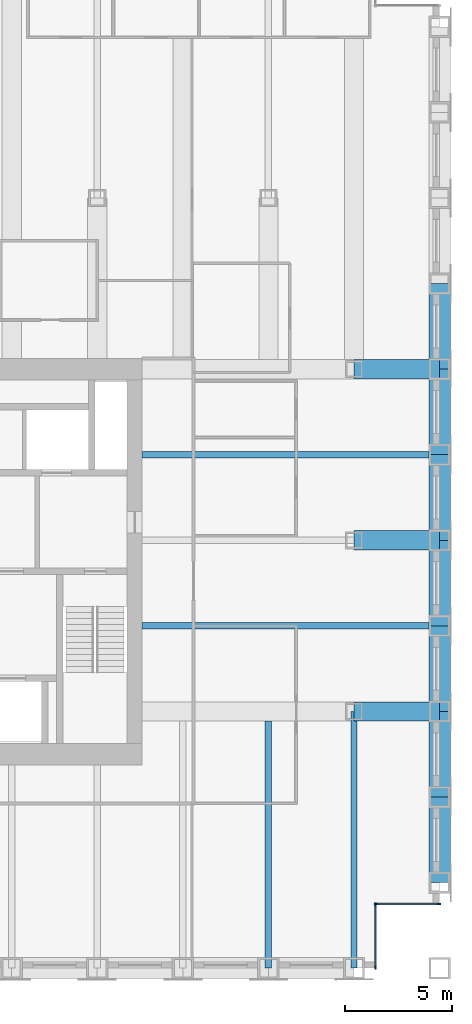
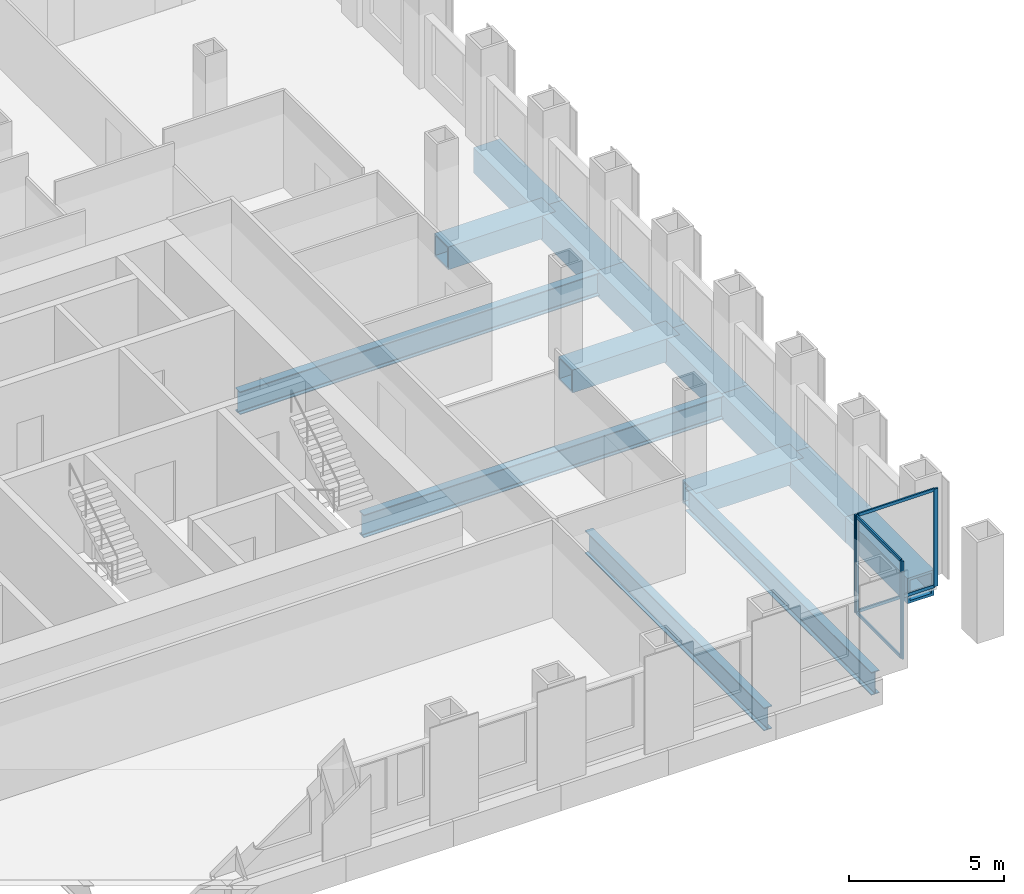
# One storey, part 4 of 13: 14 beams, 8 members, 2 elements without a shape of their own.
"""IFC4 building model written with IfcOpenShell, lengths in metres."""

from ifc_helpers import new_model, si_unit, direction, frame, origin, origin_2d, place, context, subcontext, project, spatial, rectangle, hollow_rectangle, i_section, extrude, material, material_profile, profile_set, type_object, element, aggregate, save


model = new_model("IFC4")

# Units and contexts
model_context = context("Model", 3, precision=1e-05, world=origin(), true_north=direction((0.0, 1.0)))
body_context = subcontext(model_context, "Body", "Model", "MODEL_VIEW")
ifc_project = project(units=[si_unit("LENGTHUNIT", "METRE"), si_unit("AREAUNIT", "SQUARE_METRE"), si_unit("VOLUMEUNIT", "CUBIC_METRE"), si_unit("PLANEANGLEUNIT", "RADIAN"), si_unit("MASSUNIT", "GRAM", prefix="KILO")], contexts=[model_context])

# Site, building, storey
site_placement = place(None, origin())
site = spatial("IfcSite", under=ifc_project, at=site_placement, CompositionType="ELEMENT")
building_placement = place(site_placement, origin())
building = spatial("IfcBuilding", under=site, at=building_placement, Name="Rimbunsela Tower", CompositionType="ELEMENT")
storey_placement = place(building_placement, frame((0.0, 0.0, 218.199951171875)))
storey = spatial("IfcBuildingStorey", under=building, at=storey_placement, Name="L52", CompositionType="ELEMENT", Elevation=218.199951171875)

# Beams
ifc_material_1 = material(Name="Steel BJ 55 (fy 410 MPa)", Category="steel")
ifc_material_profile_1 = material_profile(ifc_material_1, hollow_rectangle(XDim=1.0, YDim=1.0, WallThickness=0.10009765625, at=origin_2d()), Name="BOX 1000x1000x100")
ifc_profile_set_1 = profile_set([ifc_material_profile_1], Name="Steel BJ 55 (fy 410 MPa)")
beam_type_1 = type_object("IfcBeamType", Name="Beam BOX 1000x1000x100", PredefinedType="BEAM", material=ifc_profile_set_1)
for number, where, z_axis, x_axis, name in (
    (1, (50.0, 12.0, -0.64990234375), (0.0, 1.0, 0.0), (-1.0, 0.0, 0.0), "Beam B3 L52"),
    (2, (50.0, 16.0, -0.64990234375), (0.0, 1.0, 0.0), (-1.0, 0.0, 0.0), "Beam B3 L52"),
    (3, (50.0, 20.0, -0.64990234375), (0.0, 1.0, 0.0), (-1.0, 0.0, 0.0), "Beam B3 L52"),
    (4, (50.0, 24.0, -0.64990234375), (0.0, 1.0, 0.0), (-1.0, 0.0, 0.0), "Beam B3 L52"),
    (5, (50.0, 28.0, -0.64990234375), (0.0, 1.0, 0.0), (-1.0, 0.0, 0.0), "Beam B3 L52"),
    (6, (50.0, 32.0, -0.64990234375), (0.0, 1.0, 0.0), (-1.0, 0.0, 0.0), "Beam B3 L52"),
    (7, (50.0, 36.0, -0.64990234375), (0.0, 1.0, 0.0), (-1.0, 0.0, 0.0), "Beam B3 L52"),
):
    element("IfcBeam", number, at=place(storey_placement, frame(where, z_axis=z_axis, x_axis=x_axis)), inside=storey, type_object=beam_type_1, Name=name, PredefinedType="BEAM", context=body_context, shape_type="SweptSolid", body=[
        extrude(hollow_rectangle(XDim=1.0, YDim=1.0, WallThickness=0.10009765625, at=origin_2d()), origin(), (0.0, 0.0, 1.0), 4.0),
    ])
ifc_material_2 = material(Name="Steel BJ 55 (fy 410 MPa)", Category="steel")
ifc_material_profile_2 = material_profile(ifc_material_2, hollow_rectangle(XDim=0.89990234375, YDim=0.89990234375, WallThickness=0.06005859375, at=origin_2d()), Name="BOX 900x900x60")
ifc_profile_set_2 = profile_set([ifc_material_profile_2], Name="Steel BJ 55 (fy 410 MPa)")
beam_type_2 = type_object("IfcBeamType", Name="Beam BOX 900x900x60", PredefinedType="BEAM", material=ifc_profile_set_2)
for number, where, z_axis, x_axis, name in (
    (8, (46.0, 20.0, -0.599853515625), (1.0, 0.0, 0.0), (0.0, 1.0, 0.0), "Beam B1 L52"),
    (9, (46.0, 28.0, -0.599853515625), (1.0, 0.0, 0.0), (0.0, 1.0, 0.0), "Beam B1 L52"),
    (10, (46.0, 36.0, -0.599853515625), (1.0, 0.0, 0.0), (0.0, 1.0, 0.0), "Beam B1 L52"),
):
    element("IfcBeam", number, at=place(storey_placement, frame(where, z_axis=z_axis, x_axis=x_axis)), inside=storey, type_object=beam_type_2, Name=name, PredefinedType="BEAM", context=body_context, shape_type="SweptSolid", body=[
        extrude(hollow_rectangle(XDim=0.89990234375, YDim=0.89990234375, WallThickness=0.06005859375, at=origin_2d()), origin(), (0.0, 0.0, 1.0), 4.0),
    ])
ifc_material_3 = material(Name="Steel BJ 55 (fy 410 MPa)", Category="steel")
ifc_material_profile_3 = material_profile(ifc_material_3, i_section(OverallWidth=0.300048828125, OverallDepth=0.89990234375, WebThickness=0.01611328125, FlangeThickness=0.028076171875, FilletRadius=0.028076171875, at=origin_2d()), Name="H 900x300x16x28")
ifc_profile_set_3 = profile_set([ifc_material_profile_3], Name="Steel BJ 55 (fy 410 MPa)")
beam_type_3 = type_object("IfcBeamType", Name="Beam H 900x300x16x28", PredefinedType="BEAM", material=ifc_profile_set_3)
for number, where, z_axis, x_axis, name in (
    (11, (36.10009765625, 24.0, -0.599853515625), (1.0, 0.0, 0.0), (0.0, 1.0, 0.0), "Beam B2 L52"),
    (12, (36.10009765625, 32.0, -0.599853515625), (1.0, 0.0, 0.0), (0.0, 1.0, 0.0), "Beam B2 L52"),
):
    element("IfcBeam", number, at=place(storey_placement, frame(where, z_axis=z_axis, x_axis=x_axis)), inside=storey, type_object=beam_type_3, Name=name, PredefinedType="BEAM", context=body_context, shape_type="SweptSolid", body=[
        extrude(i_section(OverallWidth=0.300048828125, OverallDepth=0.89990234375, WebThickness=0.01611328125, FlangeThickness=0.028076171875, FilletRadius=0.028076171875, at=origin_2d()), origin(), (0.0, 0.0, 1.0), 13.89990234375),
    ])
beam_1_placement = place(storey_placement, frame((42.0, 8.0, -0.599853515625), z_axis=(0.0, 1.0, 0.0), x_axis=(-1.0, 0.0, 0.0)))
element("IfcBeam", 13, at=beam_1_placement, inside=storey, type_object=beam_type_3, Name="Beam B2 L52", PredefinedType="BEAM", context=body_context, shape_type="SweptSolid", body=[
    extrude(i_section(OverallWidth=0.300048828125, OverallDepth=0.89990234375, WebThickness=0.01611328125, FlangeThickness=0.028076171875, FilletRadius=0.028076171875, at=origin_2d()), origin(), (0.0, 0.0, 1.0), 11.550048828125),
])
beam_2_placement = place(storey_placement, frame((46.0, 8.0, -0.599853515625), z_axis=(0.0, 1.0, 0.0), x_axis=(-1.0, 0.0, 0.0)))
element("IfcBeam", 14, at=beam_2_placement, inside=storey, type_object=beam_type_3, Name="Beam B2 L52", PredefinedType="BEAM", context=body_context, shape_type="SweptSolid", body=[
    extrude(i_section(OverallWidth=0.300048828125, OverallDepth=0.89990234375, WebThickness=0.01611328125, FlangeThickness=0.028076171875, FilletRadius=0.028076171875, at=origin_2d()), origin(), (0.0, 0.0, 1.0), 12.0),
])

# Curtain wall, members
ifc_material_4 = material(Name="Aluminium curtain wall", Category="aluminium")
curtain_wall_type = type_object("IfcCurtainWallType", Name="Corner glazing", PredefinedType="USERDEFINED", material=ifc_material_4)
curtain_wall_1_placement = place(storey_placement, origin())
curtain_wall_1 = element("IfcCurtainWall", 15, at=curtain_wall_1_placement, inside=storey, type_object=curtain_wall_type, Name="Corner glazing L52", ObjectType="CORNER GLAZING", PredefinedType="USERDEFINED")
ifc_material_5 = material(Name="Aluminium mullion", Category="aluminium")
ifc_material_profile_4 = material_profile(ifc_material_5, rectangle(XDim=0.06005859375, YDim=0.159912109375, at=origin_2d()), Name="Mullion 60x160")
ifc_profile_set_4 = profile_set([ifc_material_profile_4], Name="Aluminium mullion")
member_type_1 = type_object("IfcMemberType", Name="Curtain wall mullion 60x160", PredefinedType="MULLION", material=ifc_profile_set_4)
member_1_placement = place(storey_placement, frame((47.0, 8.030029296875, 0.0), z_axis=(0.0, 0.0, 1.0), x_axis=(-1.0, 0.0, 0.0)))
member_1 = element("IfcMember", 16, at=member_1_placement, type_object=member_type_1, Name="CW5 mullion 1", PredefinedType="MULLION", context=body_context, shape_type="SweptSolid", body=[
    extrude(rectangle(XDim=0.06005859375, YDim=0.159912109375, at=origin_2d()), origin(), (0.0, 0.0, 1.0), 3.85009765625),
])
member_2_placement = place(storey_placement, frame((47.0, 10.969970703125, 0.0), z_axis=(0.0, 0.0, 1.0), x_axis=(-1.0, 0.0, 0.0)))
member_2 = element("IfcMember", 17, at=member_2_placement, type_object=member_type_1, Name="CW5 mullion 2", PredefinedType="MULLION", context=body_context, shape_type="SweptSolid", body=[
    extrude(rectangle(XDim=0.06005859375, YDim=0.159912109375, at=origin_2d()), origin(), (0.0, 0.0, 1.0), 3.85009765625),
])

curtain_wall_2_placement = place(storey_placement, origin())
curtain_wall_2 = element("IfcCurtainWall", 18, at=curtain_wall_2_placement, inside=storey, type_object=curtain_wall_type, Name="Corner glazing L52", ObjectType="CORNER GLAZING", PredefinedType="USERDEFINED")
member_3_placement = place(storey_placement, frame((47.030029296875, 11.0, 0.0), z_axis=(0.0, 0.0, 1.0), x_axis=(0.0, 1.0, 0.0)))
member_3 = element("IfcMember", 19, at=member_3_placement, type_object=member_type_1, Name="CW5 mullion 1", PredefinedType="MULLION", context=body_context, shape_type="SweptSolid", body=[
    extrude(rectangle(XDim=0.06005859375, YDim=0.159912109375, at=origin_2d()), origin(), (0.0, 0.0, 1.0), 3.85009765625),
])
member_4_placement = place(storey_placement, frame((49.969970703125, 11.0, 0.0), z_axis=(0.0, 0.0, 1.0), x_axis=(0.0, 1.0, 0.0)))
member_4 = element("IfcMember", 20, at=member_4_placement, type_object=member_type_1, Name="CW5 mullion 2", PredefinedType="MULLION", context=body_context, shape_type="SweptSolid", body=[
    extrude(rectangle(XDim=0.06005859375, YDim=0.159912109375, at=origin_2d()), origin(), (0.0, 0.0, 1.0), 3.85009765625),
])

# Member
ifc_material_6 = material(Name="Aluminium transom", Category="aluminium")
ifc_material_profile_5 = material_profile(ifc_material_6, rectangle(XDim=0.06005859375, YDim=0.1201171875, at=origin_2d()), Name="Transom 60x120")
ifc_profile_set_5 = profile_set([ifc_material_profile_5], Name="Aluminium transom")
member_type_2 = type_object("IfcMemberType", Name="Curtain wall transom 60x120", PredefinedType="USERDEFINED", material=ifc_profile_set_5)
member_5_placement = place(storey_placement, frame((47.0, 8.06005859375, 0.030029296875), z_axis=(0.0, 1.0, 0.0), x_axis=(-1.0, 0.0, 0.0)))
member_5 = element("IfcMember", 21, at=member_5_placement, type_object=member_type_2, Name="CW5 transom 1.1", ObjectType="TRANSOM", PredefinedType="USERDEFINED", context=body_context, shape_type="SweptSolid", body=[
    extrude(rectangle(XDim=0.06005859375, YDim=0.1201171875, at=origin_2d()), origin(), (0.0, 0.0, 1.0), 2.8798828125),
])

member_6_placement = place(storey_placement, frame((47.0, 8.06005859375, 3.820068359375), z_axis=(0.0, 1.0, 0.0), x_axis=(-1.0, 0.0, 0.0)))
member_6 = element("IfcMember", 22, at=member_6_placement, type_object=member_type_2, Name="CW5 transom 1.2", ObjectType="TRANSOM", PredefinedType="USERDEFINED", context=body_context, shape_type="SweptSolid", body=[
    extrude(rectangle(XDim=0.06005859375, YDim=0.1201171875, at=origin_2d()), origin(), (0.0, 0.0, 1.0), 2.8798828125),
])

aggregate(curtain_wall_1, [member_1, member_2, member_5, member_6])

member_7_placement = place(storey_placement, frame((47.06005859375, 11.0, 0.030029296875), z_axis=(1.0, 0.0, 0.0), x_axis=(0.0, 1.0, 0.0)))
member_7 = element("IfcMember", 23, at=member_7_placement, type_object=member_type_2, Name="CW5 transom 1.1", ObjectType="TRANSOM", PredefinedType="USERDEFINED", context=body_context, shape_type="SweptSolid", body=[
    extrude(rectangle(XDim=0.06005859375, YDim=0.1201171875, at=origin_2d()), origin(), (0.0, 0.0, 1.0), 2.8798828125),
])

member_8_placement = place(storey_placement, frame((47.06005859375, 11.0, 3.820068359375), z_axis=(1.0, 0.0, 0.0), x_axis=(0.0, 1.0, 0.0)))
member_8 = element("IfcMember", 24, at=member_8_placement, type_object=member_type_2, Name="CW5 transom 1.2", ObjectType="TRANSOM", PredefinedType="USERDEFINED", context=body_context, shape_type="SweptSolid", body=[
    extrude(rectangle(XDim=0.06005859375, YDim=0.1201171875, at=origin_2d()), origin(), (0.0, 0.0, 1.0), 2.8798828125),
])

aggregate(curtain_wall_2, [member_3, member_4, member_7, member_8])

save(model, "model.ifc")
